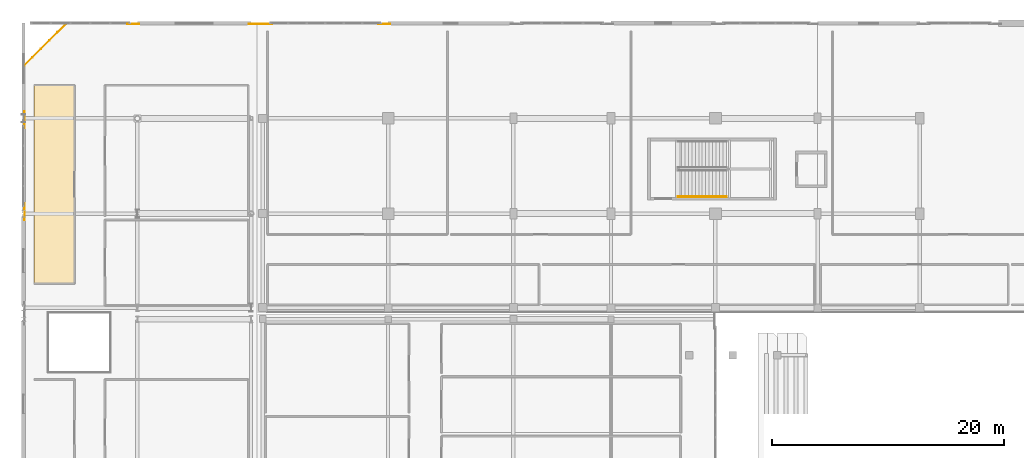
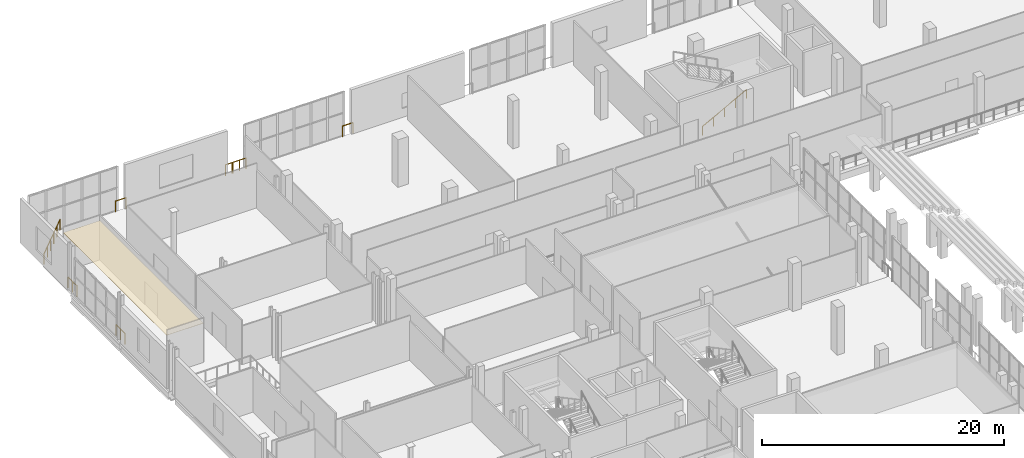
# One storey, part 137 of 142: 8 railings, 1 covering.
"""IFC4 building model written with IfcOpenShell, lengths in metres."""

import ifcopenshell
import ifcopenshell.guid

model = None  # the IFC model being written
_history = None  # IfcOwnerHistory: only IFC2X3 demands one
_inside = {}  # id of a spatial element -> (the spatial element, [elements in it])
_under = {}  # id of a project, library or spatial element -> (it, [spatial elements below it])
_declared = {}  # id of a project -> (the project, [libraries it declares])
_typed = {}  # id of a type object -> (the type object, [elements of that type])
_made_of = {}  # id of a material, layer set ... -> (it, [elements and type objects made of it])


def new_model(schema):
    """Start an empty IFC model of exactly this schema.

    Asked for "IFC4X3", IfcOpenShell would pick the latest addendum, in which some entities
    have other attributes; the version numbers below select the first issue.
    IFC2X3 requires an IfcOwnerHistory on every rooted entity: one is made here for all.
    """
    global model, _history
    if schema == "IFC4X3":
        model = ifcopenshell.file(schema_version=(4, 3, 0, 0))
    else:
        model = ifcopenshell.file(schema=schema)
    _inside.clear()
    _under.clear()
    _declared.clear()
    _typed.clear()
    _made_of.clear()
    _history = None
    if model.schema == "IFC2X3":
        org = make("IfcOrganization", Name="unknown")
        user = make(
            "IfcPersonAndOrganization",
            ThePerson=make("IfcPerson", FamilyName="unknown"),
            TheOrganization=org,
        )
        app = make(
            "IfcApplication",
            ApplicationDeveloper=org,
            Version="unknown",
            ApplicationFullName="unknown",
            ApplicationIdentifier="unknown",
        )
        _history = make(
            "IfcOwnerHistory",
            OwningUser=user,
            OwningApplication=app,
            ChangeAction="ADDED",
            CreationDate=0,
        )
    return model


def make(cls, **values):
    """One entity of the class cls with the attributes given. An attribute that is None is left unset."""
    return model.create_entity(
        cls, **{name: value for name, value in values.items() if value is not None}
    )


def rooted(cls, **values):
    """An entity with a GlobalId (a new one), such as an element, a storey or a relation."""
    return make(cls, GlobalId=ifcopenshell.guid.new(), OwnerHistory=_history, **values)


def si_unit(unit_type, name, prefix=None):
    """IfcSIUnit, for example si_unit("LENGTHUNIT", "METRE", prefix="MILLI")."""
    return make("IfcSIUnit", UnitType=unit_type, Prefix=prefix, Name=name)


def assignment(units):
    """IfcUnitAssignment: the units of a project."""
    return None if units is None else make("IfcUnitAssignment", Units=units)


def point(xyz):
    """IfcCartesianPoint."""
    return None if xyz is None else make("IfcCartesianPoint", Coordinates=xyz)


def direction(xyz):
    """IfcDirection."""
    return None if xyz is None else make("IfcDirection", DirectionRatios=xyz)


def frame(location, z_axis=None, x_axis=None):
    """IfcAxis2Placement3D, a coordinate frame: its origin and axes. An axis left out is left unset."""
    return make(
        "IfcAxis2Placement3D",
        Location=point(location),
        Axis=direction(z_axis),
        RefDirection=direction(x_axis),
    )


def frame_2d(location, x_axis=None):
    """IfcAxis2Placement2D, a coordinate frame in the plane: its origin and x axis."""
    return make(
        "IfcAxis2Placement2D", Location=point(location), RefDirection=direction(x_axis)
    )


def origin():
    """The frame at (0, 0, 0) with its axes left unset."""
    return frame((0.0, 0.0, 0.0))


def origin_2d():
    """The frame at (0, 0) in the plane with its x axis left unset."""
    return frame_2d((0.0, 0.0))


def place(relative_to, where):
    """IfcLocalPlacement: puts the frame where relative to a parent placement (None: the world)."""
    return make(
        "IfcLocalPlacement", PlacementRelTo=relative_to, RelativePlacement=where
    )


def context(
    kind, dimensions, precision=None, world=None, true_north=None, identifier=None
):
    """IfcGeometricRepresentationContext, for example the 3D "Model" context."""
    return make(
        "IfcGeometricRepresentationContext",
        ContextIdentifier=identifier,
        ContextType=kind,
        CoordinateSpaceDimension=dimensions,
        Precision=precision,
        WorldCoordinateSystem=world,
        TrueNorth=true_north,
    )


def subcontext(parent, identifier, kind, view, scale=None):
    """IfcGeometricRepresentationSubContext, for example "Body" below "Model"."""
    return make(
        "IfcGeometricRepresentationSubContext",
        ContextIdentifier=identifier,
        ContextType=kind,
        ParentContext=parent,
        TargetScale=scale,
        TargetView=view,
    )


def project(units=None, contexts=None):
    """IfcProject with its units and contexts."""
    return rooted(
        "IfcProject",
        Name="project",
        RepresentationContexts=contexts,
        UnitsInContext=assignment(units),
    )


def spatial(cls, under=None, at=None, **own):
    """A site, building, storey or space (cls), placed at a placement, below another one or the project."""
    s = rooted(cls, ObjectPlacement=at, **own)
    if under is not None:
        _under.setdefault(under.id(), (under, []))[1].append(s)
    return s


def polyline(points):
    """IfcPolyline through the points."""
    return make("IfcPolyline", Points=[point(p) for p in points])


def profile(cls, at=None, kind="AREA", **sizes):
    """A parametric profile (cls). Its sizes go by their IFC names, for example OverallWidth=200.0."""
    return make(cls, ProfileType=kind, Position=at, **sizes)


def circle(**sizes):
    """IfcCircleProfileDef."""
    return profile("IfcCircleProfileDef", **sizes)


def outline(outer, holes=None, kind="AREA"):
    """IfcArbitraryClosedProfileDef: a profile drawn as a closed curve; with holes, ...WithVoids."""
    if holes is None:
        return make("IfcArbitraryClosedProfileDef", ProfileType=kind, OuterCurve=outer)
    return make(
        "IfcArbitraryProfileDefWithVoids",
        ProfileType=kind,
        OuterCurve=outer,
        InnerCurves=holes,
    )


def extrude(swept, where, along, depth):
    """IfcExtrudedAreaSolid: the profile swept, set in the frame where, extruded along a direction by depth."""
    return make(
        "IfcExtrudedAreaSolid",
        SweptArea=swept,
        Position=where,
        ExtrudedDirection=direction(along),
        Depth=depth,
    )


def shape(context_of_items, identifier, shape_type, items):
    """IfcShapeRepresentation: the items that make up one representation, for example the "Body"."""
    return make(
        "IfcShapeRepresentation",
        ContextOfItems=context_of_items,
        RepresentationIdentifier=identifier,
        RepresentationType=shape_type,
        Items=items,
    )


def material(Name=None, Category=None):
    """IfcMaterial."""
    return make("IfcMaterial", Name=Name, Category=Category)


def layer(
    of_material, thickness, ventilated=None, Name=None, Category=None, Priority=None
):
    """IfcMaterialLayer: one layer of a wall or slab, of a material (None: an air gap)."""
    return make(
        "IfcMaterialLayer",
        Material=of_material,
        LayerThickness=thickness,
        IsVentilated=ventilated,
        Name=Name,
        Category=Category,
        Priority=Priority,
    )


def layer_set(layers, Name=None):
    """IfcMaterialLayerSet."""
    return make("IfcMaterialLayerSet", MaterialLayers=layers, LayerSetName=Name)


def made_of(thing, what):
    """Note that an element or type object is made of a material, layer set ...; save() writes the relation."""
    if what is not None:
        _made_of.setdefault(what.id(), (what, []))[1].append(thing)
    return thing


def type_object(cls, material=None, **own):
    """A type object (cls), such as IfcWallType, which elements share."""
    return made_of(rooted(cls, **own), material)


def element(
    cls,
    number,
    at=None,
    inside=None,
    cuts=None,
    type_object=None,
    material=None,
    context=None,
    identifier="Body",
    shape_type=None,
    held_by="IfcProductDefinitionShape",
    body=None,
    shapes=None,
    **own,
):
    """One element of the class cls, such as IfcWall. Its Tag is "e" and its number.

    at: its placement. inside: the storey or other place that contains it. cuts: it is an
    opening in that element (IfcRelVoidsElement). A single representation is given by context,
    identifier, shape_type and body (its items); several are given by shapes. held_by: the class
    of the entity that holds the representations. save() writes the other relations.
    """
    e = rooted(cls, Tag="e%d" % number, ObjectPlacement=at, **own)
    if body is not None:
        shapes = [shape(context, identifier, shape_type, body)]
    if shapes is not None:
        e.Representation = make(held_by, Representations=shapes)
    if inside is not None:
        _inside.setdefault(inside.id(), (inside, []))[1].append(e)
    if cuts is not None:
        rooted(
            "IfcRelVoidsElement", RelatingBuildingElement=cuts, RelatedOpeningElement=e
        )
    if type_object is not None:
        _typed.setdefault(type_object.id(), (type_object, []))[1].append(e)
    return made_of(e, material)


def aggregate(whole, parts):
    """IfcRelAggregates: a whole, such as a stair, and the parts it consists of."""
    return rooted("IfcRelAggregates", RelatingObject=whole, RelatedObjects=parts)


def save(model, path):
    """Write the relations noted so far, then the file.

    IfcRelAggregates (storeys below a building ...), IfcRelContainedInSpatialStructure (elements
    in a storey), IfcRelDefinesByType, IfcRelAssociatesMaterial and IfcRelDeclares: one each for
    every whole, place, type object, material and project.
    """
    for whole, parts in _under.values():
        aggregate(whole, parts)
    for where, things in _inside.values():
        rooted(
            "IfcRelContainedInSpatialStructure",
            RelatedElements=things,
            RelatingStructure=where,
        )
    for kind, things in _typed.values():
        rooted("IfcRelDefinesByType", RelatedObjects=things, RelatingType=kind)
    for what, things in _made_of.values():
        rooted("IfcRelAssociatesMaterial", RelatedObjects=things, RelatingMaterial=what)
    for by, libraries in _declared.values():
        rooted("IfcRelDeclares", RelatingContext=by, RelatedDefinitions=libraries)
    model.write(path)


model = new_model("IFC4")

# Units and contexts
model_context = context("Model", 3, precision=1e-05, world=origin(), true_north=direction((0.0, 1.0)))
body_context = subcontext(model_context, "Body", "Model", "MODEL_VIEW")
ifc_project = project(units=[si_unit("LENGTHUNIT", "METRE"), si_unit("AREAUNIT", "SQUARE_METRE"), si_unit("VOLUMEUNIT", "CUBIC_METRE"), si_unit("PLANEANGLEUNIT", "RADIAN"), si_unit("MASSUNIT", "GRAM", prefix="KILO")], contexts=[model_context])

# Site, building, storey
site_placement = place(None, origin())
site = spatial("IfcSite", under=ifc_project, at=site_placement, CompositionType="ELEMENT")
building_placement = place(site_placement, origin())
building = spatial("IfcBuilding", under=site, at=building_placement, Name="Koshinbarg Plaza Stadium", CompositionType="ELEMENT")
storey_placement = place(building_placement, frame((0.0, 0.0, 10.199951171875)))
storey = spatial("IfcBuildingStorey", under=building, at=storey_placement, Name="L02", CompositionType="ELEMENT", Elevation=10.199951171875)

# Covering
ifc_material_1 = material(Name="Perforated gypsum acoustic ceiling board")
ifc_layer = layer(ifc_material_1, 0.030029296875)
ifc_layer_set = layer_set([ifc_layer], Name="Perforated gypsum acoustic ceiling board")
covering_type = type_object("IfcCoveringType", Name="COV-CEIL-01", PredefinedType="CEILING", material=ifc_layer_set)
covering_placement = place(storey_placement, frame((0.0, 0.0, 3.89013671875)))
element("IfcCovering", 1, at=covering_placement, inside=storey, type_object=covering_type, Name="L02 Northwest Exhibition Hall acoustic ceiling 028", PredefinedType="CEILING", context=body_context, shape_type="SweptSolid", body=[
    extrude(outline(polyline([(4.89990234375, 129.56005859375), (8.39990234375, 129.56005859375), (8.39990234375, 146.64990234375), (4.89990234375, 146.64990234375), (4.89990234375, 129.56005859375)])), origin(), (0.0, 0.0, 1.0), 0.030029296875),
])

# Railings
ifc_material_2 = material(Name="Toughened laminated glass and stainless steel sightline balustrade", Category="steel")
railing_type_1 = type_object("IfcRailingType", Name="RL-BOWL-1100", PredefinedType="BALUSTRADE", material=ifc_material_2)
railing_1_placement = place(storey_placement, frame((24.14501953125, 151.919921875, 0.0)))
element("IfcRailing", 2, at=railing_1_placement, inside=storey, type_object=railing_type_1, Name="L02 deck edge safety balustrade 0156", PredefinedType="BALUSTRADE", context=body_context, shape_type="SweptSolid", body=[
    extrude(circle(Radius=0.02392578125, at=origin_2d()), frame((0.0, 0.0, 1.076171875), z_axis=(1.0, 0.0, 0.0), x_axis=(0.0, 1.0, 0.0)), (0.0, 0.0, 1.0), 1.2490234375),
    extrude(circle(Radius=0.02099609375, at=origin_2d()), origin(), (0.0, 0.0, 1.0), 1.052001953125),
    extrude(circle(Radius=0.02099609375, at=origin_2d()), frame((0.62451171875, 0.0, 0.0)), (0.0, 0.0, 1.0), 1.052001953125),
    extrude(circle(Radius=0.02099609375, at=origin_2d()), frame((1.2490234375, 0.0, 0.0)), (0.0, 0.0, 1.0), 1.052001953125),
])
railing_2_placement = place(storey_placement, frame((34.585205078125, 151.919921875, 0.0)))
element("IfcRailing", 3, at=railing_2_placement, inside=storey, type_object=railing_type_1, Name="L02 deck edge safety balustrade 0157", PredefinedType="BALUSTRADE", context=body_context, shape_type="SweptSolid", body=[
    extrude(circle(Radius=0.02392578125, at=origin_2d()), frame((0.0, 0.0, 1.076171875), z_axis=(1.0, 0.0, 0.0), x_axis=(0.0, 1.0, 0.0)), (0.0, 0.0, 1.0), 0.999267578125),
    extrude(circle(Radius=0.02099609375, at=origin_2d()), origin(), (0.0, 0.0, 1.0), 1.052001953125),
    extrude(circle(Radius=0.02099609375, at=origin_2d()), frame((0.999267578125, 0.0, 0.0)), (0.0, 0.0, 1.0), 1.052001953125),
])
railing_3_placement = place(storey_placement, frame((4.080078125, 135.0361328125, 0.0)))
element("IfcRailing", 4, at=railing_3_placement, inside=storey, type_object=railing_type_1, Name="L02 deck edge safety balustrade 0209", PredefinedType="BALUSTRADE", context=body_context, shape_type="SweptSolid", body=[
    extrude(circle(Radius=0.02392578125, at=origin_2d()), frame((0.0, 0.0, 1.076171875), z_axis=(0.0, 1.0, 0.0), x_axis=(-1.0, 0.0, 0.0)), (0.0, 0.0, 1.0), 1.447021484375),
    extrude(circle(Radius=0.02099609375, at=origin_2d()), origin(), (0.0, 0.0, 1.0), 1.052001953125),
    extrude(circle(Radius=0.02099609375, at=origin_2d()), frame((0.0, 0.7236328125, 0.0)), (0.0, 0.0, 1.0), 1.052001953125),
    extrude(circle(Radius=0.02099609375, at=origin_2d()), frame((0.0, 1.447021484375, 0.0)), (0.0, 0.0, 1.0), 1.052001953125),
])
railing_4_placement = place(storey_placement, frame((4.080078125, 142.96435546875, 0.0)))
element("IfcRailing", 5, at=railing_4_placement, inside=storey, type_object=railing_type_1, Name="L02 deck edge safety balustrade 0210", PredefinedType="BALUSTRADE", context=body_context, shape_type="SweptSolid", body=[
    extrude(circle(Radius=0.02392578125, at=origin_2d()), frame((0.0, 0.0, 1.076171875), z_axis=(0.0, 1.0, 0.0), x_axis=(-1.0, 0.0, 0.0)), (0.0, 0.0, 1.0), 1.447265625),
    extrude(circle(Radius=0.02099609375, at=origin_2d()), origin(), (0.0, 0.0, 1.0), 1.052001953125),
    extrude(circle(Radius=0.02099609375, at=origin_2d()), frame((0.0, 0.7236328125, 0.0)), (0.0, 0.0, 1.0), 1.052001953125),
    extrude(circle(Radius=0.02099609375, at=origin_2d()), frame((0.0, 1.447265625, 0.0)), (0.0, 0.0, 1.0), 1.052001953125),
])
railing_5_placement = place(storey_placement, frame((4.056640625, 148.343505859375, 0.0)))
element("IfcRailing", 6, at=railing_5_placement, inside=storey, type_object=railing_type_1, Name="L02 deck edge safety balustrade 0211", PredefinedType="BALUSTRADE", context=body_context, shape_type="SweptSolid", body=[
    extrude(circle(Radius=0.02392578125, at=origin_2d()), frame((0.0, 0.0, 1.076171875), z_axis=(0.707106781187, 0.707106781187, 0.0), x_axis=(-0.707106781187, 0.707106781187, 0.0)), (0.0, 0.0, 1.0), 5.091064453125),
    extrude(circle(Radius=0.02099609375, at=origin_2d()), origin(), (0.0, 0.0, 1.0), 1.052001953125),
    extrude(circle(Radius=0.02099609375, at=origin_2d()), frame((0.719970703125, 0.719970703125, 0.0)), (0.0, 0.0, 1.0), 1.052001953125),
    extrude(circle(Radius=0.02099609375, at=origin_2d()), frame((1.43994140625, 1.43994140625, 0.0)), (0.0, 0.0, 1.0), 1.052001953125),
    extrude(circle(Radius=0.02099609375, at=origin_2d()), frame((2.159912109375, 2.159912109375, 0.0)), (0.0, 0.0, 1.0), 1.052001953125),
    extrude(circle(Radius=0.02099609375, at=origin_2d()), frame((2.8798828125, 2.8798828125, 0.0)), (0.0, 0.0, 1.0), 1.052001953125),
    extrude(circle(Radius=0.02099609375, at=origin_2d()), frame((3.599853515625, 3.599853515625, 0.0)), (0.0, 0.0, 1.0), 1.052001953125),
])
railing_6_placement = place(storey_placement, frame((12.934814453125, 151.919921875, 0.0)))
element("IfcRailing", 7, at=railing_6_placement, inside=storey, type_object=railing_type_1, Name="L02 deck edge safety balustrade 0212", PredefinedType="BALUSTRADE", context=body_context, shape_type="SweptSolid", body=[
    extrude(circle(Radius=0.02392578125, at=origin_2d()), frame((0.0, 0.0, 1.076171875), z_axis=(1.0, 0.0, 0.0), x_axis=(0.0, 1.0, 0.0)), (0.0, 0.0, 1.0), 0.998291015625),
    extrude(circle(Radius=0.02099609375, at=origin_2d()), origin(), (0.0, 0.0, 1.0), 1.052001953125),
    extrude(circle(Radius=0.02099609375, at=origin_2d()), frame((0.998291015625, 0.0, 0.0)), (0.0, 0.0, 1.0), 1.052001953125),
])
railing_7_placement = place(storey_placement, frame((23.40625, 151.919921875, 0.0)))
element("IfcRailing", 8, at=railing_7_placement, inside=storey, type_object=railing_type_1, Name="L02 deck edge safety balustrade 0213", PredefinedType="BALUSTRADE", context=body_context, shape_type="SweptSolid", body=[
    extrude(circle(Radius=0.02392578125, at=origin_2d()), frame((0.0, 0.0, 1.076171875), z_axis=(1.0, 0.0, 0.0), x_axis=(0.0, 1.0, 0.0)), (0.0, 0.0, 1.0), 0.648681640625),
    extrude(circle(Radius=0.02099609375, at=origin_2d()), origin(), (0.0, 0.0, 1.0), 1.052001953125),
    extrude(circle(Radius=0.02099609375, at=origin_2d()), frame((0.648681640625, 0.0, 0.0)), (0.0, 0.0, 1.0), 1.052001953125),
])
ifc_material_3 = material(Name="Brushed stainless steel handrail", Category="steel")
railing_type_2 = type_object("IfcRailingType", Name="RL-HAND-900", PredefinedType="HANDRAIL", material=ifc_material_3)
railing_8_placement = place(storey_placement, frame((60.360107421875, 137.050048828125, 0.16015625)))
element("IfcRailing", 9, at=railing_8_placement, inside=storey, type_object=railing_type_2, Name="L02 C11 stair handrail 1", PredefinedType="HANDRAIL", context=body_context, shape_type="SweptSolid", body=[
    extrude(circle(Radius=0.02392578125, at=origin_2d()), frame((0.0, 0.0, 0.8759765625), z_axis=(0.882351521365, 0.0, 0.470590897432), x_axis=(0.0, 1.0, 0.0)), (0.0, 0.0, 1.0), 4.760009765625),
    extrude(circle(Radius=0.02099609375, at=origin_2d()), origin(), (0.0, 0.0, 1.0), 0.851806640625),
    extrude(circle(Radius=0.02099609375, at=origin_2d()), frame((1.050048828125, 0.0, 0.56005859375)), (0.0, 0.0, 1.0), 0.851806640625),
    extrude(circle(Radius=0.02099609375, at=origin_2d()), frame((2.10009765625, 0.0, 1.1201171875)), (0.0, 0.0, 1.0), 0.851806640625),
    extrude(circle(Radius=0.02099609375, at=origin_2d()), frame((3.14990234375, 0.0, 1.679931640625)), (0.0, 0.0, 1.0), 0.851806640625),
    extrude(circle(Radius=0.02099609375, at=origin_2d()), frame((4.199951171875, 0.0, 2.239990234375)), (0.0, 0.0, 1.0), 0.851806640625),
])

save(model, "model.ifc")
